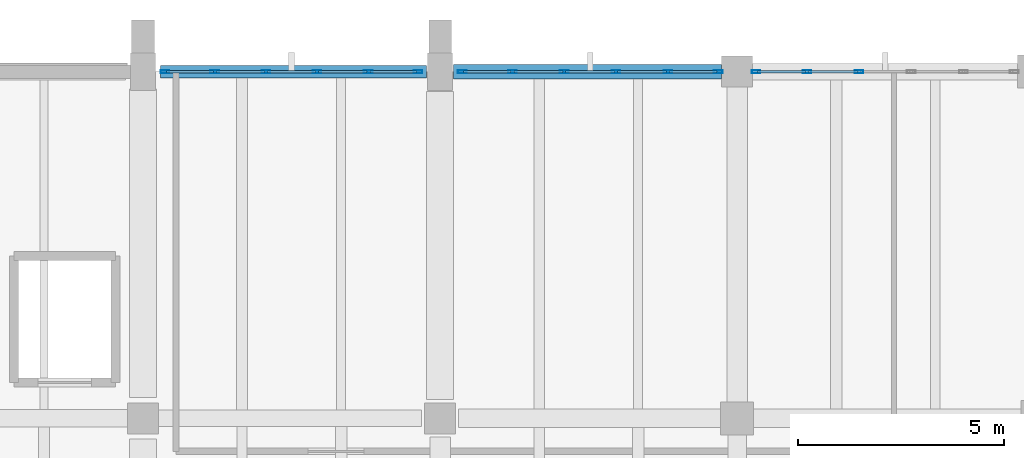
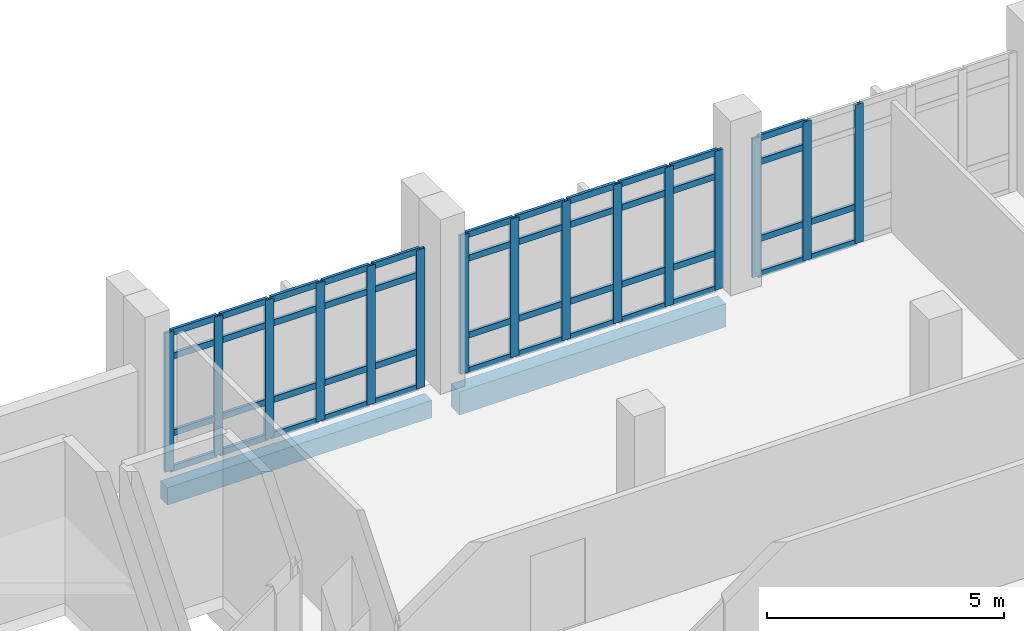
# One storey, part 74 of 124: 61 members, 2 beams, 3 elements without a shape of their own.
"""IFC4 building model written with IfcOpenShell, lengths in metres."""

from ifc_helpers import new_model, si_unit, direction, frame, origin, origin_2d, place, context, subcontext, project, spatial, rectangle, hollow_rectangle, extrude, material, material_profile, profile_set, type_object, element, aggregate, save


model = new_model("IFC4")

# Units and contexts
model_context = context("Model", 3, precision=1e-05, world=origin(), true_north=direction((0.0, 1.0)))
body_context = subcontext(model_context, "Body", "Model", "MODEL_VIEW")
ifc_project = project(units=[si_unit("LENGTHUNIT", "METRE"), si_unit("AREAUNIT", "SQUARE_METRE"), si_unit("VOLUMEUNIT", "CUBIC_METRE"), si_unit("PLANEANGLEUNIT", "RADIAN"), si_unit("MASSUNIT", "GRAM", prefix="KILO")], contexts=[model_context])

# Site, building, storey
site_placement = place(None, origin())
site = spatial("IfcSite", under=ifc_project, at=site_placement, CompositionType="ELEMENT")
building_placement = place(site_placement, origin())
building = spatial("IfcBuilding", under=site, at=building_placement, Name="Kalluvel Institute of Natural Sciences", CompositionType="ELEMENT")
storey_placement = place(building_placement, frame((0.0, 0.0, 9.89990234375)))
storey = spatial("IfcBuildingStorey", under=building, at=storey_placement, Name="L02", CompositionType="ELEMENT", Elevation=9.89990234375)

# Curtain wall, members
ifc_material_1 = material(Name="Aluminium AW-6063 T6", Category="aluminium")
curtain_wall_type = type_object("IfcCurtainWallType", Name="CW-WET-45", PredefinedType="USERDEFINED", material=ifc_material_1)
curtain_wall_1_placement = place(storey_placement, origin())
curtain_wall_1 = element("IfcCurtainWall", 1, at=curtain_wall_1_placement, inside=storey, type_object=curtain_wall_type, Name="L02 Gothic lancet curtain wall CWA-L02-X793-Y1280", ObjectType="UNITISED LANCET FACADE", PredefinedType="USERDEFINED")
ifc_material_profile_1 = material_profile(ifc_material_1, hollow_rectangle(XDim=0.070068359375, YDim=0.2099609375, WallThickness=0.0048828125, at=origin_2d()), Name="CWM 70x210")
ifc_profile_set_1 = profile_set([ifc_material_profile_1], Name="Aluminium AW-6063 T6")
member_type_1 = type_object("IfcMemberType", Name="CWM-70x210", PredefinedType="MULLION", material=ifc_profile_set_1)
member_1_placement = place(storey_placement, frame((79.3349609375, 128.0, 0.0), z_axis=(0.0, 0.0, 1.0), x_axis=(0.0, 1.0, 0.0)))
member_1 = element("IfcMember", 2, at=member_1_placement, type_object=member_type_1, Name="CW-01 mullion 1", PredefinedType="MULLION", context=body_context, shape_type="SweptSolid", body=[
    extrude(hollow_rectangle(XDim=0.070068359375, YDim=0.2099609375, WallThickness=0.0048828125, at=origin_2d()), origin(), (0.0, 0.0, 1.0), 3.580078125),
])
member_2_placement = place(storey_placement, frame((80.5400390625, 128.0, 0.0), z_axis=(0.0, 0.0, 1.0), x_axis=(0.0, 1.0, 0.0)))
member_2 = element("IfcMember", 3, at=member_2_placement, type_object=member_type_1, Name="CW-01 mullion 2", PredefinedType="MULLION", context=body_context, shape_type="SweptSolid", body=[
    extrude(hollow_rectangle(XDim=0.070068359375, YDim=0.2099609375, WallThickness=0.0048828125, at=origin_2d()), origin(), (0.0, 0.0, 1.0), 3.580078125),
])
member_3_placement = place(storey_placement, frame((81.780029296875, 128.0, 0.0), z_axis=(0.0, 0.0, 1.0), x_axis=(0.0, 1.0, 0.0)))
member_3 = element("IfcMember", 4, at=member_3_placement, type_object=member_type_1, Name="CW-01 mullion 3", PredefinedType="MULLION", context=body_context, shape_type="SweptSolid", body=[
    extrude(hollow_rectangle(XDim=0.070068359375, YDim=0.2099609375, WallThickness=0.0048828125, at=origin_2d()), origin(), (0.0, 0.0, 1.0), 3.580078125),
])
member_4_placement = place(storey_placement, frame((83.02001953125, 128.0, 0.0), z_axis=(0.0, 0.0, 1.0), x_axis=(0.0, 1.0, 0.0)))
member_4 = element("IfcMember", 5, at=member_4_placement, type_object=member_type_1, Name="CW-01 mullion 4", PredefinedType="MULLION", context=body_context, shape_type="SweptSolid", body=[
    extrude(hollow_rectangle(XDim=0.070068359375, YDim=0.2099609375, WallThickness=0.0048828125, at=origin_2d()), origin(), (0.0, 0.0, 1.0), 3.580078125),
])
member_5_placement = place(storey_placement, frame((84.260009765625, 128.0, 0.0), z_axis=(0.0, 0.0, 1.0), x_axis=(0.0, 1.0, 0.0)))
member_5 = element("IfcMember", 6, at=member_5_placement, type_object=member_type_1, Name="CW-01 mullion 5", PredefinedType="MULLION", context=body_context, shape_type="SweptSolid", body=[
    extrude(hollow_rectangle(XDim=0.070068359375, YDim=0.2099609375, WallThickness=0.0048828125, at=origin_2d()), origin(), (0.0, 0.0, 1.0), 3.580078125),
])
member_6_placement = place(storey_placement, frame((85.465087890625, 128.0, 0.0), z_axis=(0.0, 0.0, 1.0), x_axis=(0.0, 1.0, 0.0)))
member_6 = element("IfcMember", 7, at=member_6_placement, type_object=member_type_1, Name="CW-01 mullion 6", PredefinedType="MULLION", context=body_context, shape_type="SweptSolid", body=[
    extrude(hollow_rectangle(XDim=0.070068359375, YDim=0.2099609375, WallThickness=0.0048828125, at=origin_2d()), origin(), (0.0, 0.0, 1.0), 3.580078125),
])

curtain_wall_2_placement = place(storey_placement, origin())
curtain_wall_2 = element("IfcCurtainWall", 8, at=curtain_wall_2_placement, inside=storey, type_object=curtain_wall_type, Name="L02 Gothic lancet curtain wall CWA-L02-X865-Y1280", ObjectType="UNITISED LANCET FACADE", PredefinedType="USERDEFINED")
member_7_placement = place(storey_placement, frame((86.534912109375, 128.0, 0.0), z_axis=(0.0, 0.0, 1.0), x_axis=(0.0, 1.0, 0.0)))
member_7 = element("IfcMember", 9, at=member_7_placement, type_object=member_type_1, Name="CW-01 mullion 1", PredefinedType="MULLION", context=body_context, shape_type="SweptSolid", body=[
    extrude(hollow_rectangle(XDim=0.070068359375, YDim=0.2099609375, WallThickness=0.0048828125, at=origin_2d()), origin(), (0.0, 0.0, 1.0), 3.580078125),
])
member_8_placement = place(storey_placement, frame((87.7548828125, 128.0, 0.0), z_axis=(0.0, 0.0, 1.0), x_axis=(0.0, 1.0, 0.0)))
member_8 = element("IfcMember", 10, at=member_8_placement, type_object=member_type_1, Name="CW-01 mullion 2", PredefinedType="MULLION", context=body_context, shape_type="SweptSolid", body=[
    extrude(hollow_rectangle(XDim=0.070068359375, YDim=0.2099609375, WallThickness=0.0048828125, at=origin_2d()), origin(), (0.0, 0.0, 1.0), 3.580078125),
])
member_9_placement = place(storey_placement, frame((89.010009765625, 128.0, 0.0), z_axis=(0.0, 0.0, 1.0), x_axis=(0.0, 1.0, 0.0)))
member_9 = element("IfcMember", 11, at=member_9_placement, type_object=member_type_1, Name="CW-01 mullion 3", PredefinedType="MULLION", context=body_context, shape_type="SweptSolid", body=[
    extrude(hollow_rectangle(XDim=0.070068359375, YDim=0.2099609375, WallThickness=0.0048828125, at=origin_2d()), origin(), (0.0, 0.0, 1.0), 3.580078125),
])
member_10_placement = place(storey_placement, frame((90.264892578125, 128.0, 0.0), z_axis=(0.0, 0.0, 1.0), x_axis=(0.0, 1.0, 0.0)))
member_10 = element("IfcMember", 12, at=member_10_placement, type_object=member_type_1, Name="CW-01 mullion 4", PredefinedType="MULLION", context=body_context, shape_type="SweptSolid", body=[
    extrude(hollow_rectangle(XDim=0.070068359375, YDim=0.2099609375, WallThickness=0.0048828125, at=origin_2d()), origin(), (0.0, 0.0, 1.0), 3.580078125),
])
member_11_placement = place(storey_placement, frame((91.52001953125, 128.0, 0.0), z_axis=(0.0, 0.0, 1.0), x_axis=(0.0, 1.0, 0.0)))
member_11 = element("IfcMember", 13, at=member_11_placement, type_object=member_type_1, Name="CW-01 mullion 5", PredefinedType="MULLION", context=body_context, shape_type="SweptSolid", body=[
    extrude(hollow_rectangle(XDim=0.070068359375, YDim=0.2099609375, WallThickness=0.0048828125, at=origin_2d()), origin(), (0.0, 0.0, 1.0), 3.580078125),
])
member_12_placement = place(storey_placement, frame((92.739990234375, 128.0, 0.0), z_axis=(0.0, 0.0, 1.0), x_axis=(0.0, 1.0, 0.0)))
member_12 = element("IfcMember", 14, at=member_12_placement, type_object=member_type_1, Name="CW-01 mullion 6", PredefinedType="MULLION", context=body_context, shape_type="SweptSolid", body=[
    extrude(hollow_rectangle(XDim=0.070068359375, YDim=0.2099609375, WallThickness=0.0048828125, at=origin_2d()), origin(), (0.0, 0.0, 1.0), 3.580078125),
])

curtain_wall_3_placement = place(storey_placement, origin())
curtain_wall_3 = element("IfcCurtainWall", 15, at=curtain_wall_3_placement, inside=storey, type_object=curtain_wall_type, Name="L02 Gothic lancet curtain wall CWA-L02-X936-Y1280", ObjectType="UNITISED LANCET FACADE", PredefinedType="USERDEFINED")
member_13_placement = place(storey_placement, frame((93.659912109375, 128.0, 0.0), z_axis=(0.0, 0.0, 1.0), x_axis=(0.0, 1.0, 0.0)))
member_13 = element("IfcMember", 16, at=member_13_placement, type_object=member_type_1, Name="CW-01 mullion 1", PredefinedType="MULLION", context=body_context, shape_type="SweptSolid", body=[
    extrude(hollow_rectangle(XDim=0.070068359375, YDim=0.2099609375, WallThickness=0.0048828125, at=origin_2d()), origin(), (0.0, 0.0, 1.0), 3.580078125),
])
member_14_placement = place(storey_placement, frame((94.889892578125, 128.0, 0.0), z_axis=(0.0, 0.0, 1.0), x_axis=(0.0, 1.0, 0.0)))
member_14 = element("IfcMember", 17, at=member_14_placement, type_object=member_type_1, Name="CW-01 mullion 2", PredefinedType="MULLION", context=body_context, shape_type="SweptSolid", body=[
    extrude(hollow_rectangle(XDim=0.070068359375, YDim=0.2099609375, WallThickness=0.0048828125, at=origin_2d()), origin(), (0.0, 0.0, 1.0), 3.580078125),
])
member_15_placement = place(storey_placement, frame((96.155029296875, 128.0, 0.0), z_axis=(0.0, 0.0, 1.0), x_axis=(0.0, 1.0, 0.0)))
member_15 = element("IfcMember", 18, at=member_15_placement, type_object=member_type_1, Name="CW-01 mullion 3", PredefinedType="MULLION", context=body_context, shape_type="SweptSolid", body=[
    extrude(hollow_rectangle(XDim=0.070068359375, YDim=0.2099609375, WallThickness=0.0048828125, at=origin_2d()), origin(), (0.0, 0.0, 1.0), 3.580078125),
])

# Member
ifc_material_profile_2 = material_profile(ifc_material_1, hollow_rectangle(XDim=0.070068359375, YDim=0.159912109375, WallThickness=0.0048828125, at=origin_2d()), Name="CWT 70x160")
ifc_profile_set_2 = profile_set([ifc_material_profile_2], Name="Aluminium AW-6063 T6")
member_type_2 = type_object("IfcMemberType", Name="CWT-70x160", PredefinedType="USERDEFINED", material=ifc_profile_set_2)
member_16_placement = place(storey_placement, frame((79.3701171875, 128.0, 0.03515625), z_axis=(1.0, 0.0, 0.0), x_axis=(0.0, 1.0, 0.0)))
member_16 = element("IfcMember", 19, at=member_16_placement, type_object=member_type_2, Name="CW-01 transom 1.1", ObjectType="TRANSOM", PredefinedType="USERDEFINED", context=body_context, shape_type="SweptSolid", body=[
    extrude(hollow_rectangle(XDim=0.070068359375, YDim=0.159912109375, WallThickness=0.0048828125, at=origin_2d()), origin(), (0.0, 0.0, 1.0), 1.134765625),
])

member_17_placement = place(storey_placement, frame((79.3701171875, 128.0, 0.9501953125), z_axis=(1.0, 0.0, 0.0), x_axis=(0.0, 1.0, 0.0)))
member_17 = element("IfcMember", 20, at=member_17_placement, type_object=member_type_2, Name="CW-01 transom 1.2", ObjectType="TRANSOM", PredefinedType="USERDEFINED", context=body_context, shape_type="SweptSolid", body=[
    extrude(hollow_rectangle(XDim=0.070068359375, YDim=0.159912109375, WallThickness=0.0048828125, at=origin_2d()), origin(), (0.0, 0.0, 1.0), 1.134765625),
])

member_18_placement = place(storey_placement, frame((79.3701171875, 128.0, 2.93017578125), z_axis=(1.0, 0.0, 0.0), x_axis=(0.0, 1.0, 0.0)))
member_18 = element("IfcMember", 21, at=member_18_placement, type_object=member_type_2, Name="CW-01 transom 1.3", ObjectType="TRANSOM", PredefinedType="USERDEFINED", context=body_context, shape_type="SweptSolid", body=[
    extrude(hollow_rectangle(XDim=0.070068359375, YDim=0.159912109375, WallThickness=0.0048828125, at=origin_2d()), origin(), (0.0, 0.0, 1.0), 1.134765625),
])

member_19_placement = place(storey_placement, frame((79.3701171875, 128.0, 3.545166015625), z_axis=(1.0, 0.0, 0.0), x_axis=(0.0, 1.0, 0.0)))
member_19 = element("IfcMember", 22, at=member_19_placement, type_object=member_type_2, Name="CW-01 transom 1.4", ObjectType="TRANSOM", PredefinedType="USERDEFINED", context=body_context, shape_type="SweptSolid", body=[
    extrude(hollow_rectangle(XDim=0.070068359375, YDim=0.159912109375, WallThickness=0.0048828125, at=origin_2d()), origin(), (0.0, 0.0, 1.0), 1.134765625),
])

member_20_placement = place(storey_placement, frame((80.574951171875, 128.0, 0.03515625), z_axis=(1.0, 0.0, 0.0), x_axis=(0.0, 1.0, 0.0)))
member_20 = element("IfcMember", 23, at=member_20_placement, type_object=member_type_2, Name="CW-01 transom 2.1", ObjectType="TRANSOM", PredefinedType="USERDEFINED", context=body_context, shape_type="SweptSolid", body=[
    extrude(hollow_rectangle(XDim=0.070068359375, YDim=0.159912109375, WallThickness=0.0048828125, at=origin_2d()), origin(), (0.0, 0.0, 1.0), 1.170166015625),
])

member_21_placement = place(storey_placement, frame((80.574951171875, 128.0, 0.9501953125), z_axis=(1.0, 0.0, 0.0), x_axis=(0.0, 1.0, 0.0)))
member_21 = element("IfcMember", 24, at=member_21_placement, type_object=member_type_2, Name="CW-01 transom 2.2", ObjectType="TRANSOM", PredefinedType="USERDEFINED", context=body_context, shape_type="SweptSolid", body=[
    extrude(hollow_rectangle(XDim=0.070068359375, YDim=0.159912109375, WallThickness=0.0048828125, at=origin_2d()), origin(), (0.0, 0.0, 1.0), 1.170166015625),
])

member_22_placement = place(storey_placement, frame((80.574951171875, 128.0, 2.93017578125), z_axis=(1.0, 0.0, 0.0), x_axis=(0.0, 1.0, 0.0)))
member_22 = element("IfcMember", 25, at=member_22_placement, type_object=member_type_2, Name="CW-01 transom 2.3", ObjectType="TRANSOM", PredefinedType="USERDEFINED", context=body_context, shape_type="SweptSolid", body=[
    extrude(hollow_rectangle(XDim=0.070068359375, YDim=0.159912109375, WallThickness=0.0048828125, at=origin_2d()), origin(), (0.0, 0.0, 1.0), 1.170166015625),
])

member_23_placement = place(storey_placement, frame((80.574951171875, 128.0, 3.545166015625), z_axis=(1.0, 0.0, 0.0), x_axis=(0.0, 1.0, 0.0)))
member_23 = element("IfcMember", 26, at=member_23_placement, type_object=member_type_2, Name="CW-01 transom 2.4", ObjectType="TRANSOM", PredefinedType="USERDEFINED", context=body_context, shape_type="SweptSolid", body=[
    extrude(hollow_rectangle(XDim=0.070068359375, YDim=0.159912109375, WallThickness=0.0048828125, at=origin_2d()), origin(), (0.0, 0.0, 1.0), 1.170166015625),
])

member_24_placement = place(storey_placement, frame((81.81494140625, 128.0, 0.03515625), z_axis=(1.0, 0.0, 0.0), x_axis=(0.0, 1.0, 0.0)))
member_24 = element("IfcMember", 27, at=member_24_placement, type_object=member_type_2, Name="CW-01 transom 3.1", ObjectType="TRANSOM", PredefinedType="USERDEFINED", context=body_context, shape_type="SweptSolid", body=[
    extrude(hollow_rectangle(XDim=0.070068359375, YDim=0.159912109375, WallThickness=0.0048828125, at=origin_2d()), origin(), (0.0, 0.0, 1.0), 1.170166015625),
])

member_25_placement = place(storey_placement, frame((81.81494140625, 128.0, 0.9501953125), z_axis=(1.0, 0.0, 0.0), x_axis=(0.0, 1.0, 0.0)))
member_25 = element("IfcMember", 28, at=member_25_placement, type_object=member_type_2, Name="CW-01 transom 3.2", ObjectType="TRANSOM", PredefinedType="USERDEFINED", context=body_context, shape_type="SweptSolid", body=[
    extrude(hollow_rectangle(XDim=0.070068359375, YDim=0.159912109375, WallThickness=0.0048828125, at=origin_2d()), origin(), (0.0, 0.0, 1.0), 1.170166015625),
])

member_26_placement = place(storey_placement, frame((81.81494140625, 128.0, 2.93017578125), z_axis=(1.0, 0.0, 0.0), x_axis=(0.0, 1.0, 0.0)))
member_26 = element("IfcMember", 29, at=member_26_placement, type_object=member_type_2, Name="CW-01 transom 3.3", ObjectType="TRANSOM", PredefinedType="USERDEFINED", context=body_context, shape_type="SweptSolid", body=[
    extrude(hollow_rectangle(XDim=0.070068359375, YDim=0.159912109375, WallThickness=0.0048828125, at=origin_2d()), origin(), (0.0, 0.0, 1.0), 1.170166015625),
])

member_27_placement = place(storey_placement, frame((81.81494140625, 128.0, 3.545166015625), z_axis=(1.0, 0.0, 0.0), x_axis=(0.0, 1.0, 0.0)))
member_27 = element("IfcMember", 30, at=member_27_placement, type_object=member_type_2, Name="CW-01 transom 3.4", ObjectType="TRANSOM", PredefinedType="USERDEFINED", context=body_context, shape_type="SweptSolid", body=[
    extrude(hollow_rectangle(XDim=0.070068359375, YDim=0.159912109375, WallThickness=0.0048828125, at=origin_2d()), origin(), (0.0, 0.0, 1.0), 1.170166015625),
])

member_28_placement = place(storey_placement, frame((83.054931640625, 128.0, 0.03515625), z_axis=(1.0, 0.0, 0.0), x_axis=(0.0, 1.0, 0.0)))
member_28 = element("IfcMember", 31, at=member_28_placement, type_object=member_type_2, Name="CW-01 transom 4.1", ObjectType="TRANSOM", PredefinedType="USERDEFINED", context=body_context, shape_type="SweptSolid", body=[
    extrude(hollow_rectangle(XDim=0.070068359375, YDim=0.159912109375, WallThickness=0.0048828125, at=origin_2d()), origin(), (0.0, 0.0, 1.0), 1.170166015625),
])

member_29_placement = place(storey_placement, frame((83.054931640625, 128.0, 0.9501953125), z_axis=(1.0, 0.0, 0.0), x_axis=(0.0, 1.0, 0.0)))
member_29 = element("IfcMember", 32, at=member_29_placement, type_object=member_type_2, Name="CW-01 transom 4.2", ObjectType="TRANSOM", PredefinedType="USERDEFINED", context=body_context, shape_type="SweptSolid", body=[
    extrude(hollow_rectangle(XDim=0.070068359375, YDim=0.159912109375, WallThickness=0.0048828125, at=origin_2d()), origin(), (0.0, 0.0, 1.0), 1.170166015625),
])

member_30_placement = place(storey_placement, frame((83.054931640625, 128.0, 2.93017578125), z_axis=(1.0, 0.0, 0.0), x_axis=(0.0, 1.0, 0.0)))
member_30 = element("IfcMember", 33, at=member_30_placement, type_object=member_type_2, Name="CW-01 transom 4.3", ObjectType="TRANSOM", PredefinedType="USERDEFINED", context=body_context, shape_type="SweptSolid", body=[
    extrude(hollow_rectangle(XDim=0.070068359375, YDim=0.159912109375, WallThickness=0.0048828125, at=origin_2d()), origin(), (0.0, 0.0, 1.0), 1.170166015625),
])

member_31_placement = place(storey_placement, frame((83.054931640625, 128.0, 3.545166015625), z_axis=(1.0, 0.0, 0.0), x_axis=(0.0, 1.0, 0.0)))
member_31 = element("IfcMember", 34, at=member_31_placement, type_object=member_type_2, Name="CW-01 transom 4.4", ObjectType="TRANSOM", PredefinedType="USERDEFINED", context=body_context, shape_type="SweptSolid", body=[
    extrude(hollow_rectangle(XDim=0.070068359375, YDim=0.159912109375, WallThickness=0.0048828125, at=origin_2d()), origin(), (0.0, 0.0, 1.0), 1.170166015625),
])

member_32_placement = place(storey_placement, frame((84.294921875, 128.0, 0.03515625), z_axis=(1.0, 0.0, 0.0), x_axis=(0.0, 1.0, 0.0)))
member_32 = element("IfcMember", 35, at=member_32_placement, type_object=member_type_2, Name="CW-01 transom 5.1", ObjectType="TRANSOM", PredefinedType="USERDEFINED", context=body_context, shape_type="SweptSolid", body=[
    extrude(hollow_rectangle(XDim=0.070068359375, YDim=0.159912109375, WallThickness=0.0048828125, at=origin_2d()), origin(), (0.0, 0.0, 1.0), 1.135009765625),
])

member_33_placement = place(storey_placement, frame((84.294921875, 128.0, 0.9501953125), z_axis=(1.0, 0.0, 0.0), x_axis=(0.0, 1.0, 0.0)))
member_33 = element("IfcMember", 36, at=member_33_placement, type_object=member_type_2, Name="CW-01 transom 5.2", ObjectType="TRANSOM", PredefinedType="USERDEFINED", context=body_context, shape_type="SweptSolid", body=[
    extrude(hollow_rectangle(XDim=0.070068359375, YDim=0.159912109375, WallThickness=0.0048828125, at=origin_2d()), origin(), (0.0, 0.0, 1.0), 1.135009765625),
])

member_34_placement = place(storey_placement, frame((84.294921875, 128.0, 2.93017578125), z_axis=(1.0, 0.0, 0.0), x_axis=(0.0, 1.0, 0.0)))
member_34 = element("IfcMember", 37, at=member_34_placement, type_object=member_type_2, Name="CW-01 transom 5.3", ObjectType="TRANSOM", PredefinedType="USERDEFINED", context=body_context, shape_type="SweptSolid", body=[
    extrude(hollow_rectangle(XDim=0.070068359375, YDim=0.159912109375, WallThickness=0.0048828125, at=origin_2d()), origin(), (0.0, 0.0, 1.0), 1.135009765625),
])

member_35_placement = place(storey_placement, frame((84.294921875, 128.0, 3.545166015625), z_axis=(1.0, 0.0, 0.0), x_axis=(0.0, 1.0, 0.0)))
member_35 = element("IfcMember", 38, at=member_35_placement, type_object=member_type_2, Name="CW-01 transom 5.4", ObjectType="TRANSOM", PredefinedType="USERDEFINED", context=body_context, shape_type="SweptSolid", body=[
    extrude(hollow_rectangle(XDim=0.070068359375, YDim=0.159912109375, WallThickness=0.0048828125, at=origin_2d()), origin(), (0.0, 0.0, 1.0), 1.135009765625),
])

aggregate(curtain_wall_1, [member_1, member_2, member_3, member_4, member_5, member_6, member_16, member_17, member_18, member_19, member_20, member_21, member_22, member_23, member_24, member_25, member_26, member_27, member_28, member_29, member_30, member_31, member_32, member_33, member_34, member_35])

member_36_placement = place(storey_placement, frame((86.570068359375, 128.0, 0.03515625), z_axis=(1.0, 0.0, 0.0), x_axis=(0.0, 1.0, 0.0)))
member_36 = element("IfcMember", 39, at=member_36_placement, type_object=member_type_2, Name="CW-01 transom 1.1", ObjectType="TRANSOM", PredefinedType="USERDEFINED", context=body_context, shape_type="SweptSolid", body=[
    extrude(hollow_rectangle(XDim=0.070068359375, YDim=0.159912109375, WallThickness=0.0048828125, at=origin_2d()), origin(), (0.0, 0.0, 1.0), 1.14990234375),
])

member_37_placement = place(storey_placement, frame((86.570068359375, 128.0, 0.9501953125), z_axis=(1.0, 0.0, 0.0), x_axis=(0.0, 1.0, 0.0)))
member_37 = element("IfcMember", 40, at=member_37_placement, type_object=member_type_2, Name="CW-01 transom 1.2", ObjectType="TRANSOM", PredefinedType="USERDEFINED", context=body_context, shape_type="SweptSolid", body=[
    extrude(hollow_rectangle(XDim=0.070068359375, YDim=0.159912109375, WallThickness=0.0048828125, at=origin_2d()), origin(), (0.0, 0.0, 1.0), 1.14990234375),
])

member_38_placement = place(storey_placement, frame((86.570068359375, 128.0, 2.93017578125), z_axis=(1.0, 0.0, 0.0), x_axis=(0.0, 1.0, 0.0)))
member_38 = element("IfcMember", 41, at=member_38_placement, type_object=member_type_2, Name="CW-01 transom 1.3", ObjectType="TRANSOM", PredefinedType="USERDEFINED", context=body_context, shape_type="SweptSolid", body=[
    extrude(hollow_rectangle(XDim=0.070068359375, YDim=0.159912109375, WallThickness=0.0048828125, at=origin_2d()), origin(), (0.0, 0.0, 1.0), 1.14990234375),
])

member_39_placement = place(storey_placement, frame((86.570068359375, 128.0, 3.545166015625), z_axis=(1.0, 0.0, 0.0), x_axis=(0.0, 1.0, 0.0)))
member_39 = element("IfcMember", 42, at=member_39_placement, type_object=member_type_2, Name="CW-01 transom 1.4", ObjectType="TRANSOM", PredefinedType="USERDEFINED", context=body_context, shape_type="SweptSolid", body=[
    extrude(hollow_rectangle(XDim=0.070068359375, YDim=0.159912109375, WallThickness=0.0048828125, at=origin_2d()), origin(), (0.0, 0.0, 1.0), 1.14990234375),
])

member_40_placement = place(storey_placement, frame((87.7900390625, 128.0, 0.03515625), z_axis=(1.0, 0.0, 0.0), x_axis=(0.0, 1.0, 0.0)))
member_40 = element("IfcMember", 43, at=member_40_placement, type_object=member_type_2, Name="CW-01 transom 2.1", ObjectType="TRANSOM", PredefinedType="USERDEFINED", context=body_context, shape_type="SweptSolid", body=[
    extrude(hollow_rectangle(XDim=0.070068359375, YDim=0.159912109375, WallThickness=0.0048828125, at=origin_2d()), origin(), (0.0, 0.0, 1.0), 1.18505859375),
])

member_41_placement = place(storey_placement, frame((87.7900390625, 128.0, 0.9501953125), z_axis=(1.0, 0.0, 0.0), x_axis=(0.0, 1.0, 0.0)))
member_41 = element("IfcMember", 44, at=member_41_placement, type_object=member_type_2, Name="CW-01 transom 2.2", ObjectType="TRANSOM", PredefinedType="USERDEFINED", context=body_context, shape_type="SweptSolid", body=[
    extrude(hollow_rectangle(XDim=0.070068359375, YDim=0.159912109375, WallThickness=0.0048828125, at=origin_2d()), origin(), (0.0, 0.0, 1.0), 1.18505859375),
])

member_42_placement = place(storey_placement, frame((87.7900390625, 128.0, 2.93017578125), z_axis=(1.0, 0.0, 0.0), x_axis=(0.0, 1.0, 0.0)))
member_42 = element("IfcMember", 45, at=member_42_placement, type_object=member_type_2, Name="CW-01 transom 2.3", ObjectType="TRANSOM", PredefinedType="USERDEFINED", context=body_context, shape_type="SweptSolid", body=[
    extrude(hollow_rectangle(XDim=0.070068359375, YDim=0.159912109375, WallThickness=0.0048828125, at=origin_2d()), origin(), (0.0, 0.0, 1.0), 1.18505859375),
])

member_43_placement = place(storey_placement, frame((87.7900390625, 128.0, 3.545166015625), z_axis=(1.0, 0.0, 0.0), x_axis=(0.0, 1.0, 0.0)))
member_43 = element("IfcMember", 46, at=member_43_placement, type_object=member_type_2, Name="CW-01 transom 2.4", ObjectType="TRANSOM", PredefinedType="USERDEFINED", context=body_context, shape_type="SweptSolid", body=[
    extrude(hollow_rectangle(XDim=0.070068359375, YDim=0.159912109375, WallThickness=0.0048828125, at=origin_2d()), origin(), (0.0, 0.0, 1.0), 1.18505859375),
])

member_44_placement = place(storey_placement, frame((89.044921875, 128.0, 0.03515625), z_axis=(1.0, 0.0, 0.0), x_axis=(0.0, 1.0, 0.0)))
member_44 = element("IfcMember", 47, at=member_44_placement, type_object=member_type_2, Name="CW-01 transom 3.1", ObjectType="TRANSOM", PredefinedType="USERDEFINED", context=body_context, shape_type="SweptSolid", body=[
    extrude(hollow_rectangle(XDim=0.070068359375, YDim=0.159912109375, WallThickness=0.0048828125, at=origin_2d()), origin(), (0.0, 0.0, 1.0), 1.18505859375),
])

member_45_placement = place(storey_placement, frame((89.044921875, 128.0, 0.9501953125), z_axis=(1.0, 0.0, 0.0), x_axis=(0.0, 1.0, 0.0)))
member_45 = element("IfcMember", 48, at=member_45_placement, type_object=member_type_2, Name="CW-01 transom 3.2", ObjectType="TRANSOM", PredefinedType="USERDEFINED", context=body_context, shape_type="SweptSolid", body=[
    extrude(hollow_rectangle(XDim=0.070068359375, YDim=0.159912109375, WallThickness=0.0048828125, at=origin_2d()), origin(), (0.0, 0.0, 1.0), 1.18505859375),
])

member_46_placement = place(storey_placement, frame((89.044921875, 128.0, 2.93017578125), z_axis=(1.0, 0.0, 0.0), x_axis=(0.0, 1.0, 0.0)))
member_46 = element("IfcMember", 49, at=member_46_placement, type_object=member_type_2, Name="CW-01 transom 3.3", ObjectType="TRANSOM", PredefinedType="USERDEFINED", context=body_context, shape_type="SweptSolid", body=[
    extrude(hollow_rectangle(XDim=0.070068359375, YDim=0.159912109375, WallThickness=0.0048828125, at=origin_2d()), origin(), (0.0, 0.0, 1.0), 1.18505859375),
])

member_47_placement = place(storey_placement, frame((89.044921875, 128.0, 3.545166015625), z_axis=(1.0, 0.0, 0.0), x_axis=(0.0, 1.0, 0.0)))
member_47 = element("IfcMember", 50, at=member_47_placement, type_object=member_type_2, Name="CW-01 transom 3.4", ObjectType="TRANSOM", PredefinedType="USERDEFINED", context=body_context, shape_type="SweptSolid", body=[
    extrude(hollow_rectangle(XDim=0.070068359375, YDim=0.159912109375, WallThickness=0.0048828125, at=origin_2d()), origin(), (0.0, 0.0, 1.0), 1.18505859375),
])

member_48_placement = place(storey_placement, frame((90.300048828125, 128.0, 0.03515625), z_axis=(1.0, 0.0, 0.0), x_axis=(0.0, 1.0, 0.0)))
member_48 = element("IfcMember", 51, at=member_48_placement, type_object=member_type_2, Name="CW-01 transom 4.1", ObjectType="TRANSOM", PredefinedType="USERDEFINED", context=body_context, shape_type="SweptSolid", body=[
    extrude(hollow_rectangle(XDim=0.070068359375, YDim=0.159912109375, WallThickness=0.0048828125, at=origin_2d()), origin(), (0.0, 0.0, 1.0), 1.18505859375),
])

member_49_placement = place(storey_placement, frame((90.300048828125, 128.0, 0.9501953125), z_axis=(1.0, 0.0, 0.0), x_axis=(0.0, 1.0, 0.0)))
member_49 = element("IfcMember", 52, at=member_49_placement, type_object=member_type_2, Name="CW-01 transom 4.2", ObjectType="TRANSOM", PredefinedType="USERDEFINED", context=body_context, shape_type="SweptSolid", body=[
    extrude(hollow_rectangle(XDim=0.070068359375, YDim=0.159912109375, WallThickness=0.0048828125, at=origin_2d()), origin(), (0.0, 0.0, 1.0), 1.18505859375),
])

member_50_placement = place(storey_placement, frame((90.300048828125, 128.0, 2.93017578125), z_axis=(1.0, 0.0, 0.0), x_axis=(0.0, 1.0, 0.0)))
member_50 = element("IfcMember", 53, at=member_50_placement, type_object=member_type_2, Name="CW-01 transom 4.3", ObjectType="TRANSOM", PredefinedType="USERDEFINED", context=body_context, shape_type="SweptSolid", body=[
    extrude(hollow_rectangle(XDim=0.070068359375, YDim=0.159912109375, WallThickness=0.0048828125, at=origin_2d()), origin(), (0.0, 0.0, 1.0), 1.18505859375),
])

member_51_placement = place(storey_placement, frame((90.300048828125, 128.0, 3.545166015625), z_axis=(1.0, 0.0, 0.0), x_axis=(0.0, 1.0, 0.0)))
member_51 = element("IfcMember", 54, at=member_51_placement, type_object=member_type_2, Name="CW-01 transom 4.4", ObjectType="TRANSOM", PredefinedType="USERDEFINED", context=body_context, shape_type="SweptSolid", body=[
    extrude(hollow_rectangle(XDim=0.070068359375, YDim=0.159912109375, WallThickness=0.0048828125, at=origin_2d()), origin(), (0.0, 0.0, 1.0), 1.18505859375),
])

member_52_placement = place(storey_placement, frame((91.554931640625, 128.0, 0.03515625), z_axis=(1.0, 0.0, 0.0), x_axis=(0.0, 1.0, 0.0)))
member_52 = element("IfcMember", 55, at=member_52_placement, type_object=member_type_2, Name="CW-01 transom 5.1", ObjectType="TRANSOM", PredefinedType="USERDEFINED", context=body_context, shape_type="SweptSolid", body=[
    extrude(hollow_rectangle(XDim=0.070068359375, YDim=0.159912109375, WallThickness=0.0048828125, at=origin_2d()), origin(), (0.0, 0.0, 1.0), 1.150146484375),
])

member_53_placement = place(storey_placement, frame((91.554931640625, 128.0, 0.9501953125), z_axis=(1.0, 0.0, 0.0), x_axis=(0.0, 1.0, 0.0)))
member_53 = element("IfcMember", 56, at=member_53_placement, type_object=member_type_2, Name="CW-01 transom 5.2", ObjectType="TRANSOM", PredefinedType="USERDEFINED", context=body_context, shape_type="SweptSolid", body=[
    extrude(hollow_rectangle(XDim=0.070068359375, YDim=0.159912109375, WallThickness=0.0048828125, at=origin_2d()), origin(), (0.0, 0.0, 1.0), 1.150146484375),
])

member_54_placement = place(storey_placement, frame((91.554931640625, 128.0, 2.93017578125), z_axis=(1.0, 0.0, 0.0), x_axis=(0.0, 1.0, 0.0)))
member_54 = element("IfcMember", 57, at=member_54_placement, type_object=member_type_2, Name="CW-01 transom 5.3", ObjectType="TRANSOM", PredefinedType="USERDEFINED", context=body_context, shape_type="SweptSolid", body=[
    extrude(hollow_rectangle(XDim=0.070068359375, YDim=0.159912109375, WallThickness=0.0048828125, at=origin_2d()), origin(), (0.0, 0.0, 1.0), 1.150146484375),
])

member_55_placement = place(storey_placement, frame((91.554931640625, 128.0, 3.545166015625), z_axis=(1.0, 0.0, 0.0), x_axis=(0.0, 1.0, 0.0)))
member_55 = element("IfcMember", 58, at=member_55_placement, type_object=member_type_2, Name="CW-01 transom 5.4", ObjectType="TRANSOM", PredefinedType="USERDEFINED", context=body_context, shape_type="SweptSolid", body=[
    extrude(hollow_rectangle(XDim=0.070068359375, YDim=0.159912109375, WallThickness=0.0048828125, at=origin_2d()), origin(), (0.0, 0.0, 1.0), 1.150146484375),
])

aggregate(curtain_wall_2, [member_7, member_8, member_9, member_10, member_11, member_12, member_36, member_37, member_38, member_39, member_40, member_41, member_42, member_43, member_44, member_45, member_46, member_47, member_48, member_49, member_50, member_51, member_52, member_53, member_54, member_55])

member_56_placement = place(storey_placement, frame((93.695068359375, 128.0, 0.03515625), z_axis=(1.0, 0.0, 0.0), x_axis=(0.0, 1.0, 0.0)))
member_56 = element("IfcMember", 59, at=member_56_placement, type_object=member_type_2, Name="CW-01 transom 1.1", ObjectType="TRANSOM", PredefinedType="USERDEFINED", context=body_context, shape_type="SweptSolid", body=[
    extrude(hollow_rectangle(XDim=0.070068359375, YDim=0.159912109375, WallThickness=0.0048828125, at=origin_2d()), origin(), (0.0, 0.0, 1.0), 1.159912109375),
])

member_57_placement = place(storey_placement, frame((93.695068359375, 128.0, 0.9501953125), z_axis=(1.0, 0.0, 0.0), x_axis=(0.0, 1.0, 0.0)))
member_57 = element("IfcMember", 60, at=member_57_placement, type_object=member_type_2, Name="CW-01 transom 1.2", ObjectType="TRANSOM", PredefinedType="USERDEFINED", context=body_context, shape_type="SweptSolid", body=[
    extrude(hollow_rectangle(XDim=0.070068359375, YDim=0.159912109375, WallThickness=0.0048828125, at=origin_2d()), origin(), (0.0, 0.0, 1.0), 1.159912109375),
])

member_58_placement = place(storey_placement, frame((93.695068359375, 128.0, 2.93017578125), z_axis=(1.0, 0.0, 0.0), x_axis=(0.0, 1.0, 0.0)))
member_58 = element("IfcMember", 61, at=member_58_placement, type_object=member_type_2, Name="CW-01 transom 1.3", ObjectType="TRANSOM", PredefinedType="USERDEFINED", context=body_context, shape_type="SweptSolid", body=[
    extrude(hollow_rectangle(XDim=0.070068359375, YDim=0.159912109375, WallThickness=0.0048828125, at=origin_2d()), origin(), (0.0, 0.0, 1.0), 1.159912109375),
])

member_59_placement = place(storey_placement, frame((93.695068359375, 128.0, 3.545166015625), z_axis=(1.0, 0.0, 0.0), x_axis=(0.0, 1.0, 0.0)))
member_59 = element("IfcMember", 62, at=member_59_placement, type_object=member_type_2, Name="CW-01 transom 1.4", ObjectType="TRANSOM", PredefinedType="USERDEFINED", context=body_context, shape_type="SweptSolid", body=[
    extrude(hollow_rectangle(XDim=0.070068359375, YDim=0.159912109375, WallThickness=0.0048828125, at=origin_2d()), origin(), (0.0, 0.0, 1.0), 1.159912109375),
])

member_60_placement = place(storey_placement, frame((94.925048828125, 128.0, 0.03515625), z_axis=(1.0, 0.0, 0.0), x_axis=(0.0, 1.0, 0.0)))
member_60 = element("IfcMember", 63, at=member_60_placement, type_object=member_type_2, Name="CW-01 transom 2.1", ObjectType="TRANSOM", PredefinedType="USERDEFINED", context=body_context, shape_type="SweptSolid", body=[
    extrude(hollow_rectangle(XDim=0.070068359375, YDim=0.159912109375, WallThickness=0.0048828125, at=origin_2d()), origin(), (0.0, 0.0, 1.0), 1.195068359375),
])

member_61_placement = place(storey_placement, frame((94.925048828125, 128.0, 0.9501953125), z_axis=(1.0, 0.0, 0.0), x_axis=(0.0, 1.0, 0.0)))
member_61 = element("IfcMember", 64, at=member_61_placement, type_object=member_type_2, Name="CW-01 transom 2.2", ObjectType="TRANSOM", PredefinedType="USERDEFINED", context=body_context, shape_type="SweptSolid", body=[
    extrude(hollow_rectangle(XDim=0.070068359375, YDim=0.159912109375, WallThickness=0.0048828125, at=origin_2d()), origin(), (0.0, 0.0, 1.0), 1.195068359375),
])

aggregate(curtain_wall_3, [member_13, member_14, member_15, member_56, member_57, member_58, member_59, member_60, member_61])

# Beams
ifc_material_2 = material(Name="Concrete M40", Category="concrete")
ifc_material_profile_3 = material_profile(ifc_material_2, rectangle(XDim=0.300048828125, YDim=0.449951171875, at=origin_2d()), Name="RCB 300x450")
ifc_profile_set_3 = profile_set([ifc_material_profile_3], Name="Concrete M40")
beam_type_1 = type_object("IfcBeamType", Name="SP-RC300x450", PredefinedType="SPANDREL", material=ifc_profile_set_3)
beam_1_placement = place(storey_placement, frame((79.22509765625, 128.0, -0.544921875), z_axis=(1.0, 0.0, 0.0), x_axis=(0.0, 1.0, 0.0)))
element("IfcBeam", 65, at=beam_1_placement, inside=storey, type_object=beam_type_1, Name="L02 girder GIR-L02-EW-X788-Y1280", PredefinedType="SPANDREL", context=body_context, shape_type="SweptSolid", body=[
    extrude(rectangle(XDim=0.300048828125, YDim=0.449951171875, at=origin_2d()), origin(), (0.0, 0.0, 1.0), 6.449951171875),
])
ifc_material_profile_4 = material_profile(ifc_material_2, rectangle(XDim=0.35009765625, YDim=0.60009765625, at=origin_2d()), Name="RCB 350x600")
ifc_profile_set_4 = profile_set([ifc_material_profile_4], Name="Concrete M40")
beam_type_2 = type_object("IfcBeamType", Name="SP-RC350x600", PredefinedType="SPANDREL", material=ifc_profile_set_4)
beam_2_placement = place(storey_placement, frame((86.324951171875, 128.0, -0.619873046875), z_axis=(1.0, 0.0, 0.0), x_axis=(0.0, 1.0, 0.0)))
element("IfcBeam", 66, at=beam_2_placement, inside=storey, type_object=beam_type_2, Name="L02 girder GIR-L02-EW-X860-Y1280", PredefinedType="SPANDREL", context=body_context, shape_type="SweptSolid", body=[
    extrude(rectangle(XDim=0.35009765625, YDim=0.60009765625, at=origin_2d()), origin(), (0.0, 0.0, 1.0), 6.5),
])

save(model, "model.ifc")
